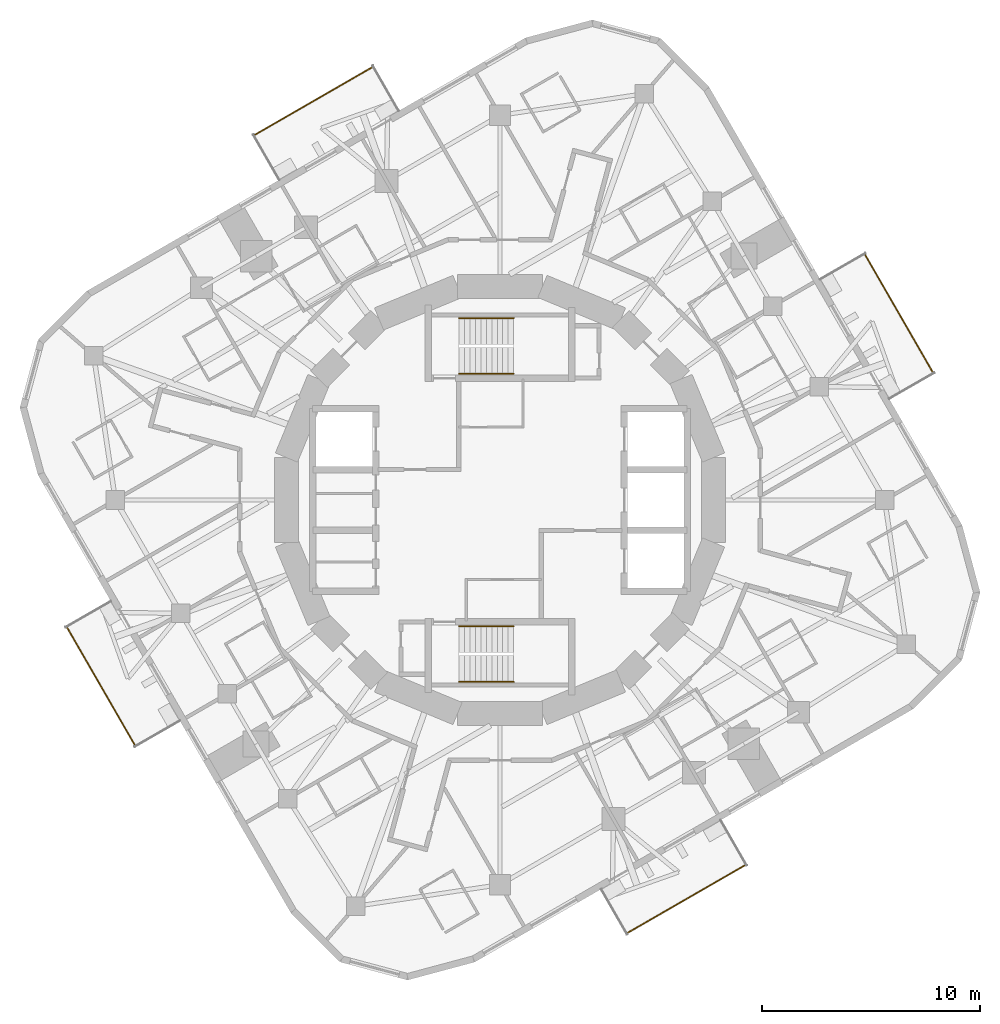
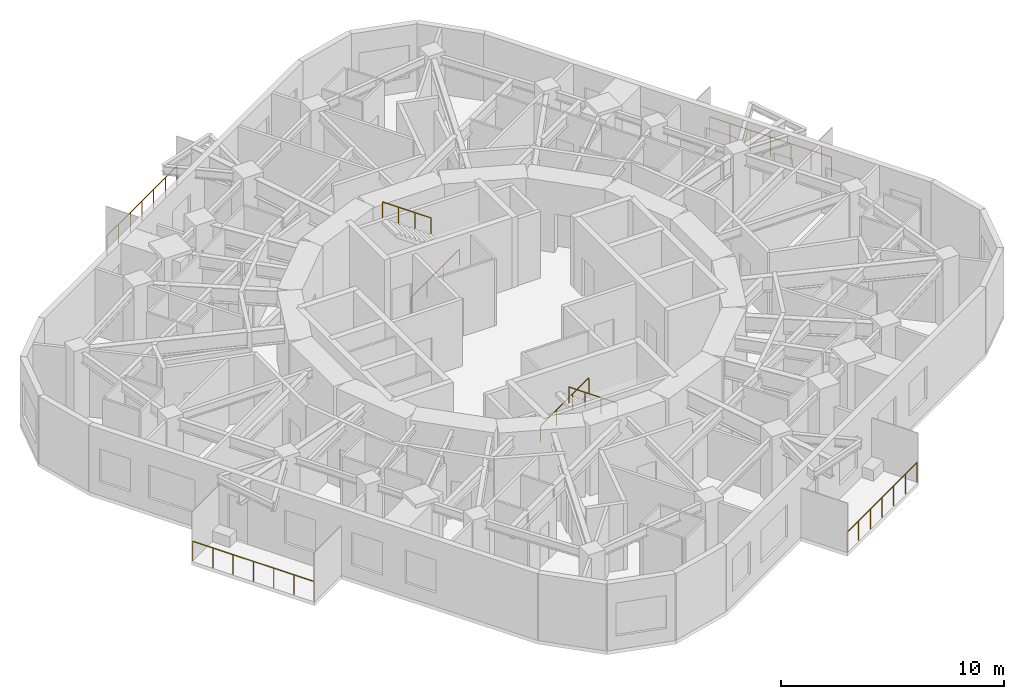
# One storey, part 10 of 11: 8 railings.
"""IFC4 building model written with IfcOpenShell, lengths in metres."""

from ifc_helpers import new_model, si_unit, direction, frame, origin, origin_2d, place, context, subcontext, project, spatial, circle, extrude, material, type_object, element, save


model = new_model("IFC4")

# Units and contexts
model_context = context("Model", 3, precision=1e-05, world=origin(), true_north=direction((0.0, 1.0)))
body_context = subcontext(model_context, "Body", "Model", "MODEL_VIEW")
ifc_project = project(units=[si_unit("LENGTHUNIT", "METRE"), si_unit("AREAUNIT", "SQUARE_METRE"), si_unit("VOLUMEUNIT", "CUBIC_METRE"), si_unit("PLANEANGLEUNIT", "RADIAN"), si_unit("MASSUNIT", "GRAM", prefix="KILO")], contexts=[model_context])

# Site, building, storey
site_placement = place(None, origin())
site = spatial("IfcSite", under=ifc_project, at=site_placement, CompositionType="ELEMENT")
building_placement = place(site_placement, origin())
building = spatial("IfcBuilding", under=site, at=building_placement, Name="Nakasero Lantern House", CompositionType="ELEMENT")
storey_placement = place(building_placement, frame((0.0, 0.0, 234.64990234375)))
storey = spatial("IfcBuildingStorey", under=building, at=storey_placement, Name="L57", CompositionType="ELEMENT", Elevation=234.64990234375)

# Railings
ifc_material_1 = material(Name="Aluminium 6063-T6", Category="aluminium")
railing_type_1 = type_object("IfcRailingType", Name="Balcony guard 1100", PredefinedType="BALUSTRADE", material=ifc_material_1)
railing_1_placement = place(storey_placement, frame((19.894775390625, 5.84130859375, 0.0)))
element("IfcRailing", 1, at=railing_1_placement, inside=storey, type_object=railing_type_1, Name="Balcony guard L57 BAL0", PredefinedType="BALUSTRADE", context=body_context, shape_type="SweptSolid", body=[
    extrude(circle(Radius=0.02392578125, at=origin_2d()), frame((0.0, 0.0, 1.076171875), z_axis=(-0.500007975732, 0.866020798945, 0.0), x_axis=(-0.866020798945, -0.500007975732, 0.0)), (0.0, 0.0, 1.0), 6.29150390625),
    extrude(circle(Radius=0.02099609375, at=origin_2d()), origin(), (0.0, 0.0, 1.0), 1.052001953125),
    extrude(circle(Radius=0.02099609375, at=origin_2d()), frame((-0.5244140625, 0.908203125, 0.0)), (0.0, 0.0, 1.0), 1.052001953125),
    extrude(circle(Radius=0.02099609375, at=origin_2d()), frame((-1.048583984375, 1.816162109375, 0.0)), (0.0, 0.0, 1.0), 1.052001953125),
    extrude(circle(Radius=0.02099609375, at=origin_2d()), frame((-1.57275390625, 2.72412109375, 0.0)), (0.0, 0.0, 1.0), 1.052001953125),
    extrude(circle(Radius=0.02099609375, at=origin_2d()), frame((-2.09716796875, 3.63232421875, 0.0)), (0.0, 0.0, 1.0), 1.052001953125),
    extrude(circle(Radius=0.02099609375, at=origin_2d()), frame((-2.62158203125, 4.54052734375, 0.0)), (0.0, 0.0, 1.0), 1.052001953125),
    extrude(circle(Radius=0.02099609375, at=origin_2d()), frame((-3.145751953125, 5.448486328125, 0.0)), (0.0, 0.0, 1.0), 1.052001953125),
])
railing_2_placement = place(storey_placement, frame((-5.84130859375, 19.894775390625, 0.0)))
element("IfcRailing", 2, at=railing_2_placement, inside=storey, type_object=railing_type_1, Name="Balcony guard L57 BAL1", PredefinedType="BALUSTRADE", context=body_context, shape_type="SweptSolid", body=[
    extrude(circle(Radius=0.02392578125, at=origin_2d()), frame((0.0, 0.0, 1.076171875), z_axis=(-0.866020798945, -0.500007975732, 0.0), x_axis=(0.500007975732, -0.866020798945, 0.0)), (0.0, 0.0, 1.0), 6.29150390625),
    extrude(circle(Radius=0.02099609375, at=origin_2d()), origin(), (0.0, 0.0, 1.0), 1.052001953125),
    extrude(circle(Radius=0.02099609375, at=origin_2d()), frame((-0.908203125, -0.5244140625, 0.0)), (0.0, 0.0, 1.0), 1.052001953125),
    extrude(circle(Radius=0.02099609375, at=origin_2d()), frame((-1.816162109375, -1.048583984375, 0.0)), (0.0, 0.0, 1.0), 1.052001953125),
    extrude(circle(Radius=0.02099609375, at=origin_2d()), frame((-2.72412109375, -1.57275390625, 0.0)), (0.0, 0.0, 1.0), 1.052001953125),
    extrude(circle(Radius=0.02099609375, at=origin_2d()), frame((-3.63232421875, -2.09716796875, 0.0)), (0.0, 0.0, 1.0), 1.052001953125),
    extrude(circle(Radius=0.02099609375, at=origin_2d()), frame((-4.54052734375, -2.62158203125, 0.0)), (0.0, 0.0, 1.0), 1.052001953125),
    extrude(circle(Radius=0.02099609375, at=origin_2d()), frame((-5.448486328125, -3.145751953125, 0.0)), (0.0, 0.0, 1.0), 1.052001953125),
])
railing_3_placement = place(storey_placement, frame((-19.894775390625, -5.84130859375, 0.0)))
element("IfcRailing", 3, at=railing_3_placement, inside=storey, type_object=railing_type_1, Name="Balcony guard L57 BAL2", PredefinedType="BALUSTRADE", context=body_context, shape_type="SweptSolid", body=[
    extrude(circle(Radius=0.02392578125, at=origin_2d()), frame((0.0, 0.0, 1.076171875), z_axis=(0.500007975732, -0.866020798945, 0.0), x_axis=(0.866020798945, 0.500007975732, 0.0)), (0.0, 0.0, 1.0), 6.29150390625),
    extrude(circle(Radius=0.02099609375, at=origin_2d()), origin(), (0.0, 0.0, 1.0), 1.052001953125),
    extrude(circle(Radius=0.02099609375, at=origin_2d()), frame((0.5244140625, -0.908203125, 0.0)), (0.0, 0.0, 1.0), 1.052001953125),
    extrude(circle(Radius=0.02099609375, at=origin_2d()), frame((1.048583984375, -1.816162109375, 0.0)), (0.0, 0.0, 1.0), 1.052001953125),
    extrude(circle(Radius=0.02099609375, at=origin_2d()), frame((1.57275390625, -2.72412109375, 0.0)), (0.0, 0.0, 1.0), 1.052001953125),
    extrude(circle(Radius=0.02099609375, at=origin_2d()), frame((2.09716796875, -3.63232421875, 0.0)), (0.0, 0.0, 1.0), 1.052001953125),
    extrude(circle(Radius=0.02099609375, at=origin_2d()), frame((2.62158203125, -4.54052734375, 0.0)), (0.0, 0.0, 1.0), 1.052001953125),
    extrude(circle(Radius=0.02099609375, at=origin_2d()), frame((3.145751953125, -5.448486328125, 0.0)), (0.0, 0.0, 1.0), 1.052001953125),
])
railing_4_placement = place(storey_placement, frame((5.84130859375, -19.894775390625, 0.0)))
element("IfcRailing", 4, at=railing_4_placement, inside=storey, type_object=railing_type_1, Name="Balcony guard L57 BAL3", PredefinedType="BALUSTRADE", context=body_context, shape_type="SweptSolid", body=[
    extrude(circle(Radius=0.02392578125, at=origin_2d()), frame((0.0, 0.0, 1.076171875), z_axis=(0.866020798945, 0.500007975732, 0.0), x_axis=(-0.500007975732, 0.866020798945, 0.0)), (0.0, 0.0, 1.0), 6.29150390625),
    extrude(circle(Radius=0.02099609375, at=origin_2d()), origin(), (0.0, 0.0, 1.0), 1.052001953125),
    extrude(circle(Radius=0.02099609375, at=origin_2d()), frame((0.908203125, 0.5244140625, 0.0)), (0.0, 0.0, 1.0), 1.052001953125),
    extrude(circle(Radius=0.02099609375, at=origin_2d()), frame((1.816162109375, 1.048583984375, 0.0)), (0.0, 0.0, 1.0), 1.052001953125),
    extrude(circle(Radius=0.02099609375, at=origin_2d()), frame((2.72412109375, 1.57275390625, 0.0)), (0.0, 0.0, 1.0), 1.052001953125),
    extrude(circle(Radius=0.02099609375, at=origin_2d()), frame((3.63232421875, 2.09716796875, 0.0)), (0.0, 0.0, 1.0), 1.052001953125),
    extrude(circle(Radius=0.02099609375, at=origin_2d()), frame((4.54052734375, 2.62158203125, 0.0)), (0.0, 0.0, 1.0), 1.052001953125),
    extrude(circle(Radius=0.02099609375, at=origin_2d()), frame((5.448486328125, 3.145751953125, 0.0)), (0.0, 0.0, 1.0), 1.052001953125),
])
ifc_material_2 = material(Name="Stainless steel 316", Category="steel")
railing_type_2 = type_object("IfcRailingType", Name="Stair handrail 900", PredefinedType="HANDRAIL", material=ifc_material_2)
railing_5_placement = place(storey_placement, frame((-1.875, 5.800048828125, 0.175048828125)))
element("IfcRailing", 5, at=railing_5_placement, inside=storey, type_object=railing_type_2, Name="Handrail ST1 L57 flight 1", PredefinedType="HANDRAIL", context=body_context, shape_type="SweptSolid", body=[
    extrude(circle(Radius=0.02392578125, at=origin_2d()), frame((0.0, 0.0, 0.8759765625), z_axis=(0.819231920519, 0.0, 0.573462344363), x_axis=(0.0, 1.0, 0.0)), (0.0, 0.0, 1.0), 3.0517578125),
    extrude(circle(Radius=0.02099609375, at=origin_2d()), origin(), (0.0, 0.0, 1.0), 0.851806640625),
    extrude(circle(Radius=0.02099609375, at=origin_2d()), frame((0.833251953125, 0.0, 0.583251953125)), (0.0, 0.0, 1.0), 0.851806640625),
    extrude(circle(Radius=0.02099609375, at=origin_2d()), frame((1.666748046875, 0.0, 1.166748046875)), (0.0, 0.0, 1.0), 0.851806640625),
    extrude(circle(Radius=0.02099609375, at=origin_2d()), frame((2.5, 0.0, 1.75)), (0.0, 0.0, 1.0), 0.851806640625),
])
railing_6_placement = place(storey_placement, frame((0.625, 8.35009765625, 2.10009765625)))
element("IfcRailing", 6, at=railing_6_placement, inside=storey, type_object=railing_type_2, Name="Handrail ST1 L57 flight 2", PredefinedType="HANDRAIL", context=body_context, shape_type="SweptSolid", body=[
    extrude(circle(Radius=0.02392578125, at=origin_2d()), frame((0.0, 0.0, 0.8759765625), z_axis=(-0.819231920519, 0.0, 0.573462344363), x_axis=(0.0, -1.0, 0.0)), (0.0, 0.0, 1.0), 3.0517578125),
    extrude(circle(Radius=0.02099609375, at=origin_2d()), origin(), (0.0, 0.0, 1.0), 0.851806640625),
    extrude(circle(Radius=0.02099609375, at=origin_2d()), frame((-0.833251953125, 0.0, 0.583251953125)), (0.0, 0.0, 1.0), 0.851806640625),
    extrude(circle(Radius=0.02099609375, at=origin_2d()), frame((-1.666748046875, 0.0, 1.166748046875)), (0.0, 0.0, 1.0), 0.851806640625),
    extrude(circle(Radius=0.02099609375, at=origin_2d()), frame((-2.5, 0.0, 1.75)), (0.0, 0.0, 1.0), 0.851806640625),
])
railing_7_placement = place(storey_placement, frame((-1.875, -5.800048828125, 0.175048828125)))
element("IfcRailing", 7, at=railing_7_placement, inside=storey, type_object=railing_type_2, Name="Handrail ST2 L57 flight 1", PredefinedType="HANDRAIL", context=body_context, shape_type="SweptSolid", body=[
    extrude(circle(Radius=0.02392578125, at=origin_2d()), frame((0.0, 0.0, 0.8759765625), z_axis=(0.819231920519, 0.0, 0.573462344363), x_axis=(0.0, 1.0, 0.0)), (0.0, 0.0, 1.0), 3.0517578125),
    extrude(circle(Radius=0.02099609375, at=origin_2d()), origin(), (0.0, 0.0, 1.0), 0.851806640625),
    extrude(circle(Radius=0.02099609375, at=origin_2d()), frame((0.833251953125, 0.0, 0.583251953125)), (0.0, 0.0, 1.0), 0.851806640625),
    extrude(circle(Radius=0.02099609375, at=origin_2d()), frame((1.666748046875, 0.0, 1.166748046875)), (0.0, 0.0, 1.0), 0.851806640625),
    extrude(circle(Radius=0.02099609375, at=origin_2d()), frame((2.5, 0.0, 1.75)), (0.0, 0.0, 1.0), 0.851806640625),
])
railing_8_placement = place(storey_placement, frame((0.625, -8.35009765625, 2.10009765625)))
element("IfcRailing", 8, at=railing_8_placement, inside=storey, type_object=railing_type_2, Name="Handrail ST2 L57 flight 2", PredefinedType="HANDRAIL", context=body_context, shape_type="SweptSolid", body=[
    extrude(circle(Radius=0.02392578125, at=origin_2d()), frame((0.0, 0.0, 0.8759765625), z_axis=(-0.819231920519, 0.0, 0.573462344363), x_axis=(0.0, -1.0, 0.0)), (0.0, 0.0, 1.0), 3.0517578125),
    extrude(circle(Radius=0.02099609375, at=origin_2d()), origin(), (0.0, 0.0, 1.0), 0.851806640625),
    extrude(circle(Radius=0.02099609375, at=origin_2d()), frame((-0.833251953125, 0.0, 0.583251953125)), (0.0, 0.0, 1.0), 0.851806640625),
    extrude(circle(Radius=0.02099609375, at=origin_2d()), frame((-1.666748046875, 0.0, 1.166748046875)), (0.0, 0.0, 1.0), 0.851806640625),
    extrude(circle(Radius=0.02099609375, at=origin_2d()), frame((-2.5, 0.0, 1.75)), (0.0, 0.0, 1.0), 0.851806640625),
])

save(model, "model.ifc")
